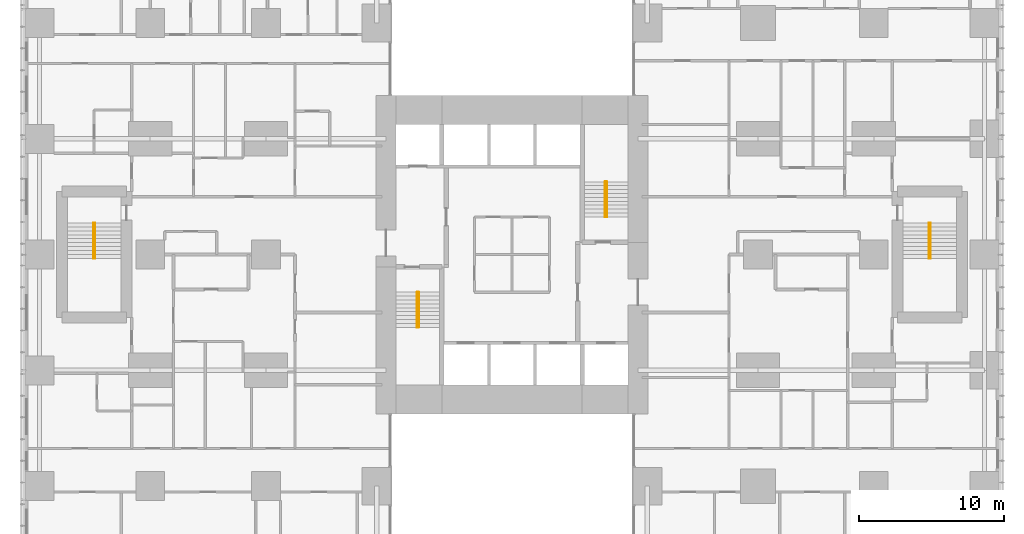
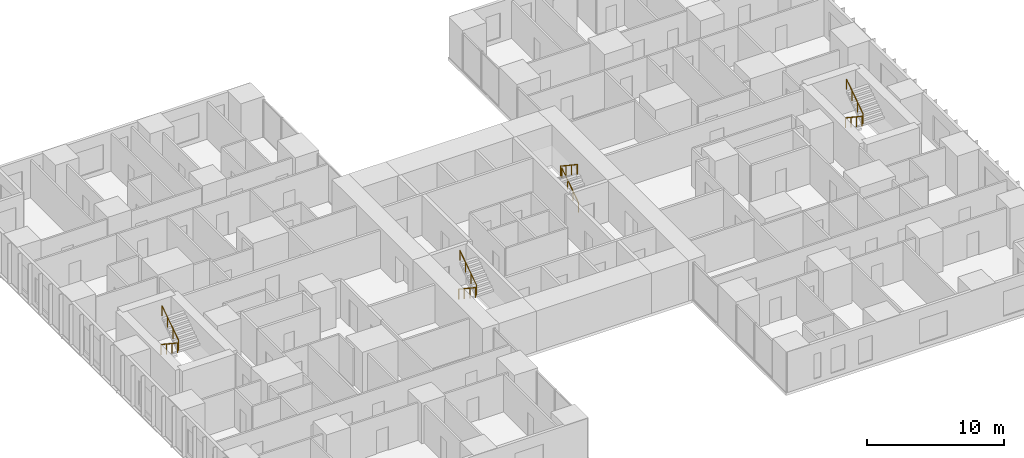
# One storey, part 20 of 20: 8 railings.
"""IFC4 building model written with IfcOpenShell, lengths in metres."""

from ifc_helpers import new_model, si_unit, direction, frame, origin, origin_2d, place, context, subcontext, project, spatial, circle, extrude, material, type_object, element, save


model = new_model("IFC4")

# Units and contexts
model_context = context("Model", 3, precision=1e-05, world=origin(), true_north=direction((0.0, 1.0)))
body_context = subcontext(model_context, "Body", "Model", "MODEL_VIEW")
ifc_project = project(units=[si_unit("LENGTHUNIT", "METRE"), si_unit("AREAUNIT", "SQUARE_METRE"), si_unit("VOLUMEUNIT", "CUBIC_METRE"), si_unit("PLANEANGLEUNIT", "RADIAN"), si_unit("MASSUNIT", "GRAM", prefix="KILO")], contexts=[model_context])

# Site, building, storey
site_placement = place(None, origin())
site = spatial("IfcSite", under=ifc_project, at=site_placement, CompositionType="ELEMENT")
building_placement = place(site_placement, origin())
building = spatial("IfcBuilding", under=site, at=building_placement, Name="Cleftline Residences", CompositionType="ELEMENT")
storey_placement = place(building_placement, frame((0.0, 0.0, 110.60009765625)))
storey = spatial("IfcBuildingStorey", under=building, at=storey_placement, Name="L28", CompositionType="ELEMENT", Elevation=110.60009765625)

# Railings
ifc_material = material(Name="Stainless steel", Category="steel")
railing_type = type_object("IfcRailingType", Name="HANDRAIL 900", PredefinedType="HANDRAIL", material=ifc_material)
railing_1_placement = place(storey_placement, frame((26.449951171875, 21.39990234375, 0.179931640625)))
element("IfcRailing", 1, at=railing_1_placement, inside=storey, type_object=railing_type, Name="Stair handrail", PredefinedType="HANDRAIL", context=body_context, shape_type="SweptSolid", body=[
    extrude(circle(Radius=0.02392578125, at=origin_2d()), frame((0.0, 0.0, 0.8759765625), z_axis=(0.0, -0.832063155534, 0.554680903946), x_axis=(1.0, 0.0, 0.0)), (0.0, 0.0, 1.0), 2.92041015625),
    extrude(circle(Radius=0.02099609375, at=origin_2d()), origin(), (0.0, 0.0, 1.0), 0.851806640625),
    extrude(circle(Radius=0.02099609375, at=origin_2d()), frame((0.0, -0.81005859375, 0.5400390625)), (0.0, 0.0, 1.0), 0.851806640625),
    extrude(circle(Radius=0.02099609375, at=origin_2d()), frame((0.0, -1.619873046875, 1.079833984375)), (0.0, 0.0, 1.0), 0.851806640625),
    extrude(circle(Radius=0.02099609375, at=origin_2d()), frame((0.0, -2.429931640625, 1.619873046875)), (0.0, 0.0, 1.0), 0.851806640625),
])
for number, where, name in (
    (2, (26.550048828125, 18.969970703125, 1.97998046875), "Stair handrail"),
    (3, (39.550048828125, 26.60009765625, 0.179931640625), "Stair handrail"),
):
    element("IfcRailing", number, at=place(storey_placement, frame(where)), inside=storey, type_object=railing_type, Name=name, PredefinedType="HANDRAIL", context=body_context, shape_type="SweptSolid", body=[
        extrude(circle(Radius=0.02392578125, at=origin_2d()), frame((0.0, 0.0, 0.8759765625), z_axis=(0.0, 0.832063155534, 0.554680903946), x_axis=(-1.0, 0.0, 0.0)), (0.0, 0.0, 1.0), 2.92041015625),
        extrude(circle(Radius=0.02099609375, at=origin_2d()), origin(), (0.0, 0.0, 1.0), 0.851806640625),
        extrude(circle(Radius=0.02099609375, at=origin_2d()), frame((0.0, 0.81005859375, 0.5400390625)), (0.0, 0.0, 1.0), 0.851806640625),
        extrude(circle(Radius=0.02099609375, at=origin_2d()), frame((0.0, 1.619873046875, 1.079833984375)), (0.0, 0.0, 1.0), 0.851806640625),
        extrude(circle(Radius=0.02099609375, at=origin_2d()), frame((0.0, 2.429931640625, 1.619873046875)), (0.0, 0.0, 1.0), 0.851806640625),
    ])
for number, where, name in (
    (4, (39.449951171875, 29.030029296875, 1.97998046875), "Stair handrail"),
    (5, (61.824951171875, 26.175048828125, 0.179931640625), "Stair handrail"),
):
    element("IfcRailing", number, at=place(storey_placement, frame(where)), inside=storey, type_object=railing_type, Name=name, PredefinedType="HANDRAIL", context=body_context, shape_type="SweptSolid", body=[
        extrude(circle(Radius=0.02392578125, at=origin_2d()), frame((0.0, 0.0, 0.8759765625), z_axis=(0.0, -0.832063155534, 0.554680903946), x_axis=(1.0, 0.0, 0.0)), (0.0, 0.0, 1.0), 2.92041015625),
        extrude(circle(Radius=0.02099609375, at=origin_2d()), origin(), (0.0, 0.0, 1.0), 0.851806640625),
        extrude(circle(Radius=0.02099609375, at=origin_2d()), frame((0.0, -0.81005859375, 0.5400390625)), (0.0, 0.0, 1.0), 0.851806640625),
        extrude(circle(Radius=0.02099609375, at=origin_2d()), frame((0.0, -1.619873046875, 1.079833984375)), (0.0, 0.0, 1.0), 0.851806640625),
        extrude(circle(Radius=0.02099609375, at=origin_2d()), frame((0.0, -2.429931640625, 1.619873046875)), (0.0, 0.0, 1.0), 0.851806640625),
    ])
railing_2_placement = place(storey_placement, frame((61.925048828125, 23.7451171875, 1.97998046875)))
element("IfcRailing", 6, at=railing_2_placement, inside=storey, type_object=railing_type, Name="Stair handrail", PredefinedType="HANDRAIL", context=body_context, shape_type="SweptSolid", body=[
    extrude(circle(Radius=0.02392578125, at=origin_2d()), frame((0.0, 0.0, 0.8759765625), z_axis=(0.0, 0.832063155534, 0.554680903946), x_axis=(-1.0, 0.0, 0.0)), (0.0, 0.0, 1.0), 2.92041015625),
    extrude(circle(Radius=0.02099609375, at=origin_2d()), origin(), (0.0, 0.0, 1.0), 0.851806640625),
    extrude(circle(Radius=0.02099609375, at=origin_2d()), frame((0.0, 0.81005859375, 0.5400390625)), (0.0, 0.0, 1.0), 0.851806640625),
    extrude(circle(Radius=0.02099609375, at=origin_2d()), frame((0.0, 1.619873046875, 1.079833984375)), (0.0, 0.0, 1.0), 0.851806640625),
    extrude(circle(Radius=0.02099609375, at=origin_2d()), frame((0.0, 2.429931640625, 1.619873046875)), (0.0, 0.0, 1.0), 0.851806640625),
])
railing_3_placement = place(storey_placement, frame((4.074951171875, 26.175048828125, 0.179931640625)))
element("IfcRailing", 7, at=railing_3_placement, inside=storey, type_object=railing_type, Name="Stair handrail", PredefinedType="HANDRAIL", context=body_context, shape_type="SweptSolid", body=[
    extrude(circle(Radius=0.02392578125, at=origin_2d()), frame((0.0, 0.0, 0.8759765625), z_axis=(0.0, -0.832063155534, 0.554680903946), x_axis=(1.0, 0.0, 0.0)), (0.0, 0.0, 1.0), 2.92041015625),
    extrude(circle(Radius=0.02099609375, at=origin_2d()), origin(), (0.0, 0.0, 1.0), 0.851806640625),
    extrude(circle(Radius=0.02099609375, at=origin_2d()), frame((0.0, -0.81005859375, 0.5400390625)), (0.0, 0.0, 1.0), 0.851806640625),
    extrude(circle(Radius=0.02099609375, at=origin_2d()), frame((0.0, -1.619873046875, 1.079833984375)), (0.0, 0.0, 1.0), 0.851806640625),
    extrude(circle(Radius=0.02099609375, at=origin_2d()), frame((0.0, -2.429931640625, 1.619873046875)), (0.0, 0.0, 1.0), 0.851806640625),
])
railing_4_placement = place(storey_placement, frame((4.175048828125, 23.7451171875, 1.97998046875)))
element("IfcRailing", 8, at=railing_4_placement, inside=storey, type_object=railing_type, Name="Stair handrail", PredefinedType="HANDRAIL", context=body_context, shape_type="SweptSolid", body=[
    extrude(circle(Radius=0.02392578125, at=origin_2d()), frame((0.0, 0.0, 0.8759765625), z_axis=(0.0, 0.832063155534, 0.554680903946), x_axis=(-1.0, 0.0, 0.0)), (0.0, 0.0, 1.0), 2.92041015625),
    extrude(circle(Radius=0.02099609375, at=origin_2d()), origin(), (0.0, 0.0, 1.0), 0.851806640625),
    extrude(circle(Radius=0.02099609375, at=origin_2d()), frame((0.0, 0.81005859375, 0.5400390625)), (0.0, 0.0, 1.0), 0.851806640625),
    extrude(circle(Radius=0.02099609375, at=origin_2d()), frame((0.0, 1.619873046875, 1.079833984375)), (0.0, 0.0, 1.0), 0.851806640625),
    extrude(circle(Radius=0.02099609375, at=origin_2d()), frame((0.0, 2.429931640625, 1.619873046875)), (0.0, 0.0, 1.0), 0.851806640625),
])

save(model, "model.ifc")
